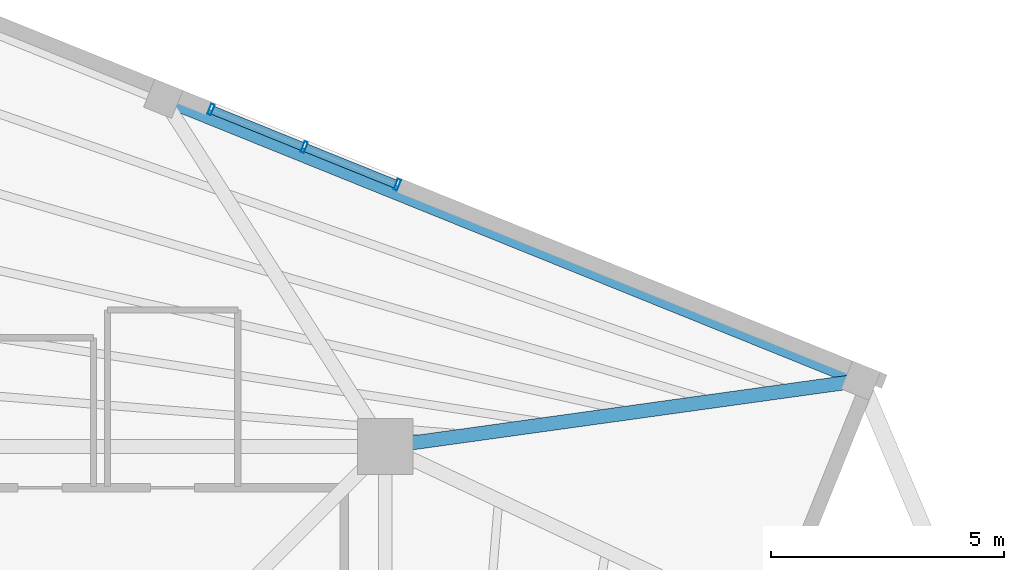
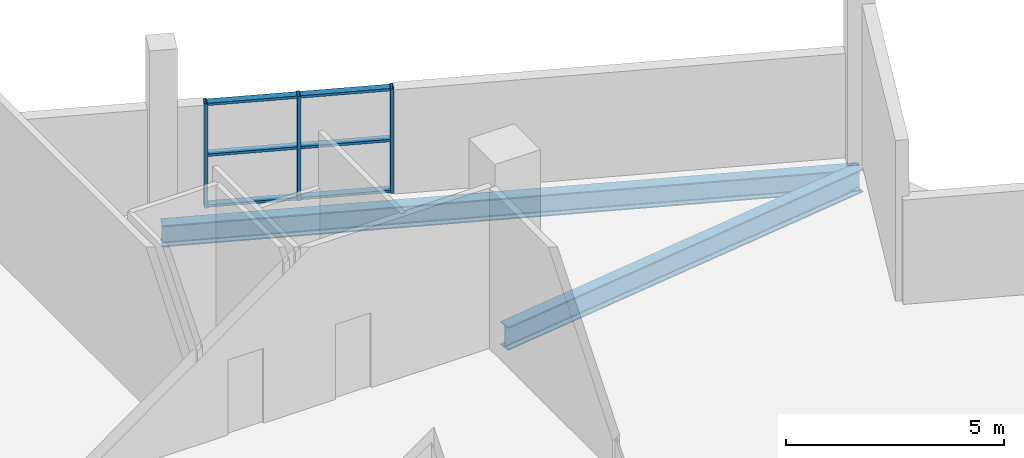
# One storey, part 4 of 9: 9 members, 2 beams, 1 element without a shape of its own.
"""IFC4 building model written with IfcOpenShell, lengths in metres."""

import ifcopenshell
import ifcopenshell.guid

model = None  # the IFC model being written
_history = None  # IfcOwnerHistory: only IFC2X3 demands one
_inside = {}  # id of a spatial element -> (the spatial element, [elements in it])
_under = {}  # id of a project, library or spatial element -> (it, [spatial elements below it])
_declared = {}  # id of a project -> (the project, [libraries it declares])
_typed = {}  # id of a type object -> (the type object, [elements of that type])
_made_of = {}  # id of a material, layer set ... -> (it, [elements and type objects made of it])


def new_model(schema):
    """Start an empty IFC model of exactly this schema.

    Asked for "IFC4X3", IfcOpenShell would pick the latest addendum, in which some entities
    have other attributes; the version numbers below select the first issue.
    IFC2X3 requires an IfcOwnerHistory on every rooted entity: one is made here for all.
    """
    global model, _history
    if schema == "IFC4X3":
        model = ifcopenshell.file(schema_version=(4, 3, 0, 0))
    else:
        model = ifcopenshell.file(schema=schema)
    _inside.clear()
    _under.clear()
    _declared.clear()
    _typed.clear()
    _made_of.clear()
    _history = None
    if model.schema == "IFC2X3":
        org = make("IfcOrganization", Name="unknown")
        user = make(
            "IfcPersonAndOrganization",
            ThePerson=make("IfcPerson", FamilyName="unknown"),
            TheOrganization=org,
        )
        app = make(
            "IfcApplication",
            ApplicationDeveloper=org,
            Version="unknown",
            ApplicationFullName="unknown",
            ApplicationIdentifier="unknown",
        )
        _history = make(
            "IfcOwnerHistory",
            OwningUser=user,
            OwningApplication=app,
            ChangeAction="ADDED",
            CreationDate=0,
        )
    return model


def make(cls, **values):
    """One entity of the class cls with the attributes given. An attribute that is None is left unset."""
    return model.create_entity(
        cls, **{name: value for name, value in values.items() if value is not None}
    )


def rooted(cls, **values):
    """An entity with a GlobalId (a new one), such as an element, a storey or a relation."""
    return make(cls, GlobalId=ifcopenshell.guid.new(), OwnerHistory=_history, **values)


def si_unit(unit_type, name, prefix=None):
    """IfcSIUnit, for example si_unit("LENGTHUNIT", "METRE", prefix="MILLI")."""
    return make("IfcSIUnit", UnitType=unit_type, Prefix=prefix, Name=name)


def assignment(units):
    """IfcUnitAssignment: the units of a project."""
    return None if units is None else make("IfcUnitAssignment", Units=units)


def point(xyz):
    """IfcCartesianPoint."""
    return None if xyz is None else make("IfcCartesianPoint", Coordinates=xyz)


def direction(xyz):
    """IfcDirection."""
    return None if xyz is None else make("IfcDirection", DirectionRatios=xyz)


def frame(location, z_axis=None, x_axis=None):
    """IfcAxis2Placement3D, a coordinate frame: its origin and axes. An axis left out is left unset."""
    return make(
        "IfcAxis2Placement3D",
        Location=point(location),
        Axis=direction(z_axis),
        RefDirection=direction(x_axis),
    )


def frame_2d(location, x_axis=None):
    """IfcAxis2Placement2D, a coordinate frame in the plane: its origin and x axis."""
    return make(
        "IfcAxis2Placement2D", Location=point(location), RefDirection=direction(x_axis)
    )


def origin():
    """The frame at (0, 0, 0) with its axes left unset."""
    return frame((0.0, 0.0, 0.0))


def origin_2d():
    """The frame at (0, 0) in the plane with its x axis left unset."""
    return frame_2d((0.0, 0.0))


def place(relative_to, where):
    """IfcLocalPlacement: puts the frame where relative to a parent placement (None: the world)."""
    return make(
        "IfcLocalPlacement", PlacementRelTo=relative_to, RelativePlacement=where
    )


def context(
    kind, dimensions, precision=None, world=None, true_north=None, identifier=None
):
    """IfcGeometricRepresentationContext, for example the 3D "Model" context."""
    return make(
        "IfcGeometricRepresentationContext",
        ContextIdentifier=identifier,
        ContextType=kind,
        CoordinateSpaceDimension=dimensions,
        Precision=precision,
        WorldCoordinateSystem=world,
        TrueNorth=true_north,
    )


def subcontext(parent, identifier, kind, view, scale=None):
    """IfcGeometricRepresentationSubContext, for example "Body" below "Model"."""
    return make(
        "IfcGeometricRepresentationSubContext",
        ContextIdentifier=identifier,
        ContextType=kind,
        ParentContext=parent,
        TargetScale=scale,
        TargetView=view,
    )


def project(units=None, contexts=None):
    """IfcProject with its units and contexts."""
    return rooted(
        "IfcProject",
        Name="project",
        RepresentationContexts=contexts,
        UnitsInContext=assignment(units),
    )


def spatial(cls, under=None, at=None, **own):
    """A site, building, storey or space (cls), placed at a placement, below another one or the project."""
    s = rooted(cls, ObjectPlacement=at, **own)
    if under is not None:
        _under.setdefault(under.id(), (under, []))[1].append(s)
    return s


def profile(cls, at=None, kind="AREA", **sizes):
    """A parametric profile (cls). Its sizes go by their IFC names, for example OverallWidth=200.0."""
    return make(cls, ProfileType=kind, Position=at, **sizes)


def hollow_rectangle(**sizes):
    """IfcRectangleHollowProfileDef."""
    return profile("IfcRectangleHollowProfileDef", **sizes)


def i_section(**sizes):
    """IfcIShapeProfileDef."""
    return profile("IfcIShapeProfileDef", **sizes)


def extrude(swept, where, along, depth):
    """IfcExtrudedAreaSolid: the profile swept, set in the frame where, extruded along a direction by depth."""
    return make(
        "IfcExtrudedAreaSolid",
        SweptArea=swept,
        Position=where,
        ExtrudedDirection=direction(along),
        Depth=depth,
    )


def shape(context_of_items, identifier, shape_type, items):
    """IfcShapeRepresentation: the items that make up one representation, for example the "Body"."""
    return make(
        "IfcShapeRepresentation",
        ContextOfItems=context_of_items,
        RepresentationIdentifier=identifier,
        RepresentationType=shape_type,
        Items=items,
    )


def source(mapping_origin, context_of_items, identifier, shape_type, items):
    """IfcRepresentationMap: a shape defined once, which mapped items show again and again."""
    return make(
        "IfcRepresentationMap",
        MappingOrigin=mapping_origin,
        MappedRepresentation=shape(context_of_items, identifier, shape_type, items),
    )


def transform(
    local_origin,
    x_axis=None,
    y_axis=None,
    z_axis=None,
    scale=None,
    scale2=None,
    scale3=None,
    uniform=True,
):
    """IfcCartesianTransformationOperator3D, or its non-uniform kind. x_axis, y_axis, z_axis: its Axis1, 2, 3."""
    if uniform:
        return make(
            "IfcCartesianTransformationOperator3D",
            Axis1=direction(x_axis),
            Axis2=direction(y_axis),
            LocalOrigin=point(local_origin),
            Scale=scale,
            Axis3=direction(z_axis),
        )
    return make(
        "IfcCartesianTransformationOperator3DnonUniform",
        Axis1=direction(x_axis),
        Axis2=direction(y_axis),
        LocalOrigin=point(local_origin),
        Scale=scale,
        Axis3=direction(z_axis),
        Scale2=scale2,
        Scale3=scale3,
    )


def mapped(mapping_source, mapping_target):
    """IfcMappedItem: shows the shape of a source again, moved by a transform."""
    return make(
        "IfcMappedItem", MappingSource=mapping_source, MappingTarget=mapping_target
    )


def material(Name=None, Category=None):
    """IfcMaterial."""
    return make("IfcMaterial", Name=Name, Category=Category)


def layer(
    of_material, thickness, ventilated=None, Name=None, Category=None, Priority=None
):
    """IfcMaterialLayer: one layer of a wall or slab, of a material (None: an air gap)."""
    return make(
        "IfcMaterialLayer",
        Material=of_material,
        LayerThickness=thickness,
        IsVentilated=ventilated,
        Name=Name,
        Category=Category,
        Priority=Priority,
    )


def layer_set(layers, Name=None):
    """IfcMaterialLayerSet."""
    return make("IfcMaterialLayerSet", MaterialLayers=layers, LayerSetName=Name)


def material_profile(
    of_material, cross_section, Name=None, Category=None, Priority=None
):
    """IfcMaterialProfile: a cross section and its material."""
    return make(
        "IfcMaterialProfile",
        Name=Name,
        Material=of_material,
        Profile=cross_section,
        Priority=Priority,
        Category=Category,
    )


def profile_set(profiles, Name=None, composite=None):
    """IfcMaterialProfileSet."""
    return make(
        "IfcMaterialProfileSet",
        Name=Name,
        MaterialProfiles=profiles,
        CompositeProfile=composite,
    )


def made_of(thing, what):
    """Note that an element or type object is made of a material, layer set ...; save() writes the relation."""
    if what is not None:
        _made_of.setdefault(what.id(), (what, []))[1].append(thing)
    return thing


def type_object(cls, material=None, **own):
    """A type object (cls), such as IfcWallType, which elements share."""
    return made_of(rooted(cls, **own), material)


def element(
    cls,
    number,
    at=None,
    inside=None,
    cuts=None,
    type_object=None,
    material=None,
    context=None,
    identifier="Body",
    shape_type=None,
    held_by="IfcProductDefinitionShape",
    body=None,
    shapes=None,
    **own,
):
    """One element of the class cls, such as IfcWall. Its Tag is "e" and its number.

    at: its placement. inside: the storey or other place that contains it. cuts: it is an
    opening in that element (IfcRelVoidsElement). A single representation is given by context,
    identifier, shape_type and body (its items); several are given by shapes. held_by: the class
    of the entity that holds the representations. save() writes the other relations.
    """
    e = rooted(cls, Tag="e%d" % number, ObjectPlacement=at, **own)
    if body is not None:
        shapes = [shape(context, identifier, shape_type, body)]
    if shapes is not None:
        e.Representation = make(held_by, Representations=shapes)
    if inside is not None:
        _inside.setdefault(inside.id(), (inside, []))[1].append(e)
    if cuts is not None:
        rooted(
            "IfcRelVoidsElement", RelatingBuildingElement=cuts, RelatedOpeningElement=e
        )
    if type_object is not None:
        _typed.setdefault(type_object.id(), (type_object, []))[1].append(e)
    return made_of(e, material)


def aggregate(whole, parts):
    """IfcRelAggregates: a whole, such as a stair, and the parts it consists of."""
    return rooted("IfcRelAggregates", RelatingObject=whole, RelatedObjects=parts)


def save(model, path):
    """Write the relations noted so far, then the file.

    IfcRelAggregates (storeys below a building ...), IfcRelContainedInSpatialStructure (elements
    in a storey), IfcRelDefinesByType, IfcRelAssociatesMaterial and IfcRelDeclares: one each for
    every whole, place, type object, material and project.
    """
    for whole, parts in _under.values():
        aggregate(whole, parts)
    for where, things in _inside.values():
        rooted(
            "IfcRelContainedInSpatialStructure",
            RelatedElements=things,
            RelatingStructure=where,
        )
    for kind, things in _typed.values():
        rooted("IfcRelDefinesByType", RelatedObjects=things, RelatingType=kind)
    for what, things in _made_of.values():
        rooted("IfcRelAssociatesMaterial", RelatedObjects=things, RelatingMaterial=what)
    for by, libraries in _declared.values():
        rooted("IfcRelDeclares", RelatingContext=by, RelatedDefinitions=libraries)
    model.write(path)


model = new_model("IFC4")

# Units and contexts
model_context = context("Model", 3, precision=1e-05, world=origin(), true_north=direction((0.0, 1.0)))
body_context = subcontext(model_context, "Body", "Model", "MODEL_VIEW")
ifc_project = project(units=[si_unit("LENGTHUNIT", "METRE"), si_unit("AREAUNIT", "SQUARE_METRE"), si_unit("VOLUMEUNIT", "CUBIC_METRE"), si_unit("PLANEANGLEUNIT", "RADIAN"), si_unit("MASSUNIT", "GRAM", prefix="KILO"), si_unit("THERMODYNAMICTEMPERATUREUNIT", "KELVIN")], contexts=[model_context])

# Site, building, storey
site_placement = place(None, origin())
site = spatial("IfcSite", under=ifc_project, at=site_placement, CompositionType="ELEMENT")
building_placement = place(site_placement, origin())
building = spatial("IfcBuilding", under=site, at=building_placement, Name="Kosmvard Interchange Tower", CompositionType="ELEMENT")
storey_placement = place(building_placement, frame((0.0, 0.0, 316.800048828125)))
storey = spatial("IfcBuildingStorey", under=building, at=storey_placement, Name="L78", CompositionType="ELEMENT", Elevation=316.800048828125)

# Beams
ifc_material_1 = material(Name="Steel S355", Category="steel")
ifc_material_profile_1 = material_profile(ifc_material_1, i_section(OverallWidth=0.300048828125, OverallDepth=0.60009765625, WebThickness=0.015380859375, FlangeThickness=0.030029296875, FilletRadius=0.027099609375, at=origin_2d()), Name="HEB 600")
ifc_profile_set_1 = profile_set([ifc_material_profile_1], Name="Steel S355")
beam_type_1 = type_object("IfcBeamType", Name="Perimeter Tie Girder HEB 600 S355", PredefinedType="BEAM", material=ifc_profile_set_1)
shared_shape_1 = source(origin(), body_context, "Body", "SweptSolid", [
    extrude(i_section(OverallWidth=0.300048828125, OverallDepth=0.60009765625, WebThickness=0.015380859375, FlangeThickness=0.030029296875, FilletRadius=0.027099609375, at=origin_2d()), origin(), (0.0, 0.0, 1.0), 16.175048828125),
])
beam_1_placement = place(storey_placement, frame((23.30419921875, 14.5009765625, -0.550048828125), z_axis=(-0.927183472009, 0.374607540279, 0.0), x_axis=(-0.374607540279, -0.927183472009, 0.0)))
element("IfcBeam", 1, at=beam_1_placement, inside=storey, type_object=beam_type_1, Name="BM-L78-PR04", PredefinedType="BEAM", context=body_context, shape_type="MappedRepresentation", body=[
    mapped(shared_shape_1, transform((0.0, 0.0, 0.0), scale=1.0)),
])
ifc_material_profile_2 = material_profile(ifc_material_1, i_section(OverallWidth=0.300048828125, OverallDepth=0.64990234375, WebThickness=0.01611328125, FlangeThickness=0.031005859375, FilletRadius=0.027099609375, at=origin_2d()), Name="HEB 650")
ifc_profile_set_2 = profile_set([ifc_material_profile_2], Name="Steel S355")
beam_type_2 = type_object("IfcBeamType", Name="Primary Floor Girder HEB 650 S355", PredefinedType="BEAM", material=ifc_profile_set_2)
shared_shape_2 = source(origin(), body_context, "Body", "SweptSolid", [
    extrude(i_section(OverallWidth=0.300048828125, OverallDepth=0.64990234375, WebThickness=0.01611328125, FlangeThickness=0.031005859375, FilletRadius=0.027099609375, at=origin_2d()), origin(), (0.0, 0.0, 1.0), 10.3212890625),
])
beam_2_placement = place(storey_placement, frame((13.0810546875, 13.0810546875, -0.574951171875), z_axis=(0.990491735984, 0.137572239014, 0.0), x_axis=(-0.137572239014, 0.990491735984, 0.0)))
element("IfcBeam", 2, at=beam_2_placement, inside=storey, type_object=beam_type_2, Name="BM-L78-RD04", PredefinedType="BEAM", context=body_context, shape_type="MappedRepresentation", body=[
    mapped(shared_shape_2, transform((0.0, 0.0, 0.0), scale=1.0)),
])

# Curtain wall, members
ifc_material_2 = material(Name="Architectural anodised aluminium", Category="aluminium")
ifc_layer = layer(ifc_material_2, 0.239990234375, Name="Architectural anodised aluminium")
ifc_layer_set = layer_set([ifc_layer], Name="Architectural anodised aluminium")
curtain_wall_type = type_object("IfcCurtainWallType", Name="CW-5 Public Observation Panorama Curtain Wall", PredefinedType="NOTDEFINED", material=ifc_layer_set)
curtain_wall_placement = place(storey_placement, origin())
curtain_wall = element("IfcCurtainWall", 3, at=curtain_wall_placement, inside=storey, type_object=curtain_wall_type, Name="L78 Observation Panorama Curtain Wall E", PredefinedType="NOTDEFINED")
ifc_material_profile_3 = material_profile(ifc_material_2, hollow_rectangle(XDim=0.179931640625, YDim=0.070068359375, WallThickness=0.0048828125, at=origin_2d()), Name="CWT 180x70x5")
ifc_profile_set_3 = profile_set([ifc_material_profile_3], Name="Architectural anodised aluminium")
member_type_1 = type_object("IfcMemberType", Name="Heavy Lantern CW Transom 180x70 Aluminium", PredefinedType="USERDEFINED", material=ifc_profile_set_3)
shared_shape_3 = source(origin(), body_context, "Body", "SweptSolid", [
    extrude(hollow_rectangle(XDim=0.179931640625, YDim=0.070068359375, WallThickness=0.0048828125, at=origin_2d()), origin(), (0.0, 0.0, 1.0), 2.079833984375),
])
member_1_placement = place(storey_placement, frame((13.30322265625, 18.72509765625, 0.034912109375), z_axis=(-0.927200290497, 0.374565910492, 0.0), x_axis=(-0.374565910492, -0.927200290497, 0.0)))
member_1 = element("IfcMember", 4, at=member_1_placement, type_object=member_type_1, Name="CW-5 transom 1.1", ObjectType="TRANSOM", PredefinedType="USERDEFINED", context=body_context, shape_type="MappedRepresentation", body=[
    mapped(shared_shape_3, transform((0.0, 0.0, 0.0), scale=1.0)),
])
member_2_placement = place(storey_placement, frame((13.30322265625, 18.72509765625, 1.4599609375), z_axis=(-0.927200290497, 0.374565910492, 0.0), x_axis=(-0.374565910492, -0.927200290497, 0.0)))
member_2 = element("IfcMember", 5, at=member_2_placement, type_object=member_type_1, Name="CW-5 transom 1.2", ObjectType="TRANSOM", PredefinedType="USERDEFINED", context=body_context, shape_type="MappedRepresentation", body=[
    mapped(shared_shape_3, transform((0.0, 0.0, 0.0), scale=1.0)),
])
member_3_placement = place(storey_placement, frame((13.30322265625, 18.72509765625, 2.885009765625), z_axis=(-0.927200290497, 0.374565910492, 0.0), x_axis=(-0.374565910492, -0.927200290497, 0.0)))
member_3 = element("IfcMember", 6, at=member_3_placement, type_object=member_type_1, Name="CW-5 transom 1.3", ObjectType="TRANSOM", PredefinedType="USERDEFINED", context=body_context, shape_type="MappedRepresentation", body=[
    mapped(shared_shape_3, transform((0.0, 0.0, 0.0), scale=1.0)),
])
shared_shape_4 = source(origin(), body_context, "Body", "SweptSolid", [
    extrude(hollow_rectangle(XDim=0.179931640625, YDim=0.070068359375, WallThickness=0.0048828125, at=origin_2d()), origin(), (0.0, 0.0, 1.0), 2.080078125),
])
member_4_placement = place(storey_placement, frame((11.300537109375, 19.5341796875, 0.034912109375), z_axis=(-0.927216756456, 0.374525148083, 0.0), x_axis=(-0.374525148083, -0.927216756456, 0.0)))
member_4 = element("IfcMember", 7, at=member_4_placement, type_object=member_type_1, Name="CW-5 transom 2.1", ObjectType="TRANSOM", PredefinedType="USERDEFINED", context=body_context, shape_type="MappedRepresentation", body=[
    mapped(shared_shape_4, transform((0.0, 0.0, 0.0), scale=1.0)),
])
member_5_placement = place(storey_placement, frame((11.300537109375, 19.5341796875, 1.4599609375), z_axis=(-0.927216756456, 0.374525148083, 0.0), x_axis=(-0.374525148083, -0.927216756456, 0.0)))
member_5 = element("IfcMember", 8, at=member_5_placement, type_object=member_type_1, Name="CW-5 transom 2.2", ObjectType="TRANSOM", PredefinedType="USERDEFINED", context=body_context, shape_type="MappedRepresentation", body=[
    mapped(shared_shape_4, transform((0.0, 0.0, 0.0), scale=1.0)),
])
member_6_placement = place(storey_placement, frame((11.300537109375, 19.5341796875, 2.885009765625), z_axis=(-0.927216756456, 0.374525148083, 0.0), x_axis=(-0.374525148083, -0.927216756456, 0.0)))
member_6 = element("IfcMember", 9, at=member_6_placement, type_object=member_type_1, Name="CW-5 transom 2.3", ObjectType="TRANSOM", PredefinedType="USERDEFINED", context=body_context, shape_type="MappedRepresentation", body=[
    mapped(shared_shape_4, transform((0.0, 0.0, 0.0), scale=1.0)),
])
ifc_material_profile_4 = material_profile(ifc_material_2, hollow_rectangle(XDim=0.239990234375, YDim=0.080078125, WallThickness=0.006103515625, at=origin_2d()), Name="CWM 240x80x6")
ifc_profile_set_4 = profile_set([ifc_material_profile_4], Name="Architectural anodised aluminium")
member_type_2 = type_object("IfcMemberType", Name="Lantern & Observation CW Mullion 240x80 Aluminium", PredefinedType="MULLION", material=ifc_profile_set_4)
shared_shape_5 = source(origin(), body_context, "Body", "SweptSolid", [
    extrude(hollow_rectangle(XDim=0.239990234375, YDim=0.080078125, WallThickness=0.006103515625, at=origin_2d()), origin(), (0.0, 0.0, 1.0), 2.919921875),
])
member_7_placement = place(storey_placement, frame((13.34033203125, 18.7099609375, 0.0), z_axis=(0.0, 0.0, 1.0), x_axis=(-0.374606588108, -0.927183856711, 0.0)))
member_7 = element("IfcMember", 10, at=member_7_placement, type_object=member_type_2, Name="CW-5 mullion 1", PredefinedType="MULLION", context=body_context, shape_type="MappedRepresentation", body=[
    mapped(shared_shape_5, transform((0.0, 0.0, 0.0), scale=1.0)),
])
member_8_placement = place(storey_placement, frame((11.337646484375, 19.519287109375, 0.0), z_axis=(0.0, 0.0, 1.0), x_axis=(-0.374606588108, -0.927183856711, 0.0)))
member_8 = element("IfcMember", 11, at=member_8_placement, type_object=member_type_2, Name="CW-5 mullion 2", PredefinedType="MULLION", context=body_context, shape_type="MappedRepresentation", body=[
    mapped(shared_shape_5, transform((0.0, 0.0, 0.0), scale=1.0)),
])
member_9_placement = place(storey_placement, frame((9.3349609375, 20.328369140625, 0.0), z_axis=(0.0, 0.0, 1.0), x_axis=(-0.374606588108, -0.927183856711, 0.0)))
member_9 = element("IfcMember", 12, at=member_9_placement, type_object=member_type_2, Name="CW-5 mullion 3", PredefinedType="MULLION", context=body_context, shape_type="MappedRepresentation", body=[
    mapped(shared_shape_5, transform((0.0, 0.0, 0.0), scale=1.0)),
])
aggregate(curtain_wall, [member_7, member_8, member_9, member_1, member_2, member_3, member_4, member_5, member_6])

save(model, "model.ifc")
